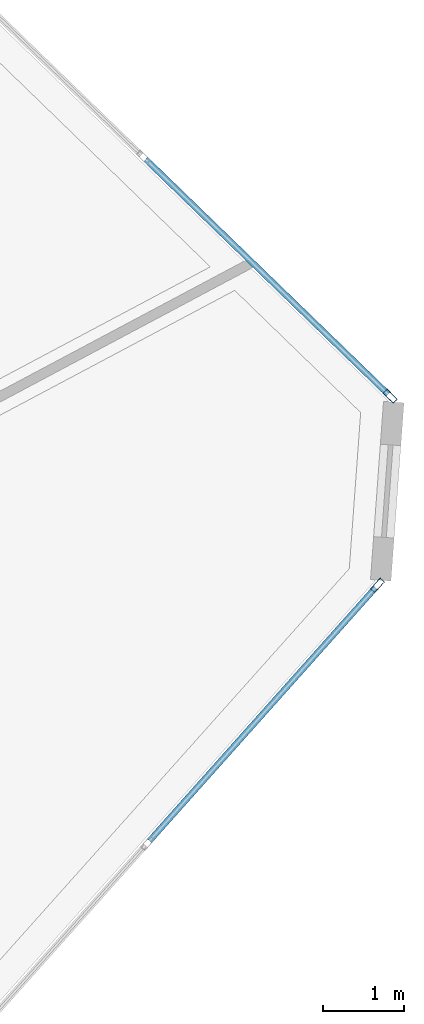
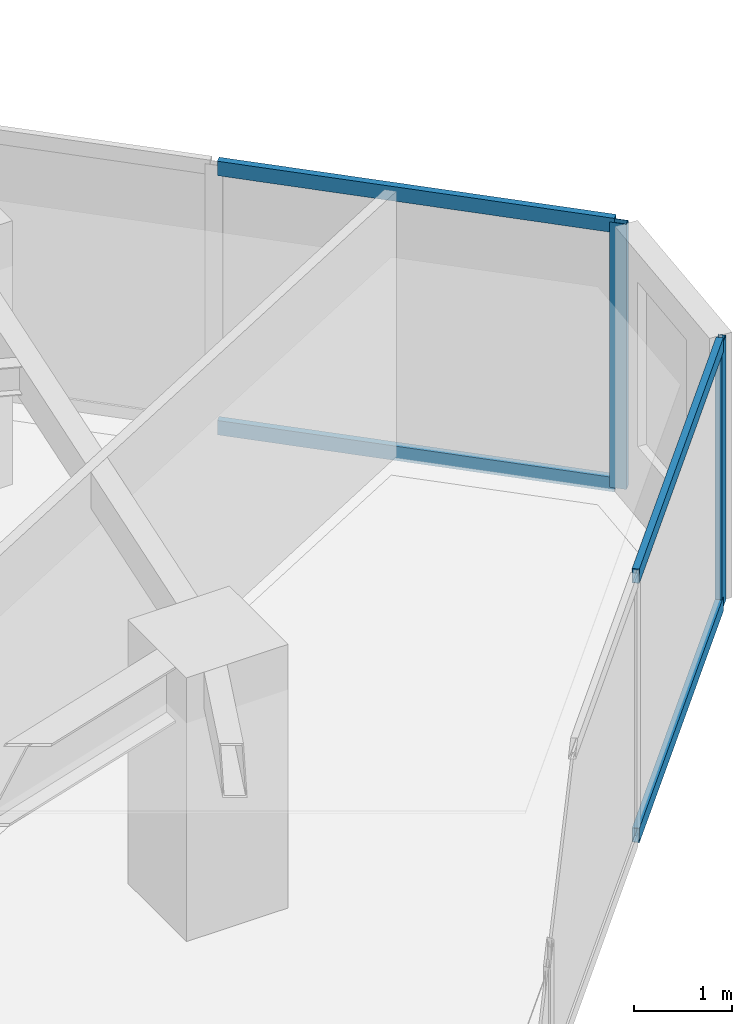
# One storey, part 13 of 23: 6 members, 2 elements without a shape of their own.
"""IFC4 building model written with IfcOpenShell, lengths in metres."""

from ifc_helpers import new_model, si_unit, direction, frame, origin, origin_2d, place, context, subcontext, project, spatial, hollow_rectangle, extrude, source, transform, mapped, material, layer, layer_set, material_profile, profile_set, type_object, type_shapes, element, aggregate, save


model = new_model("IFC4")

# Units and contexts
model_context = context("Model", 3, precision=1e-05, world=origin(), true_north=direction((0.0, 1.0)))
body_context = subcontext(model_context, "Body", "Model", "MODEL_VIEW")
ifc_project = project(units=[si_unit("LENGTHUNIT", "METRE"), si_unit("AREAUNIT", "SQUARE_METRE"), si_unit("VOLUMEUNIT", "CUBIC_METRE"), si_unit("PLANEANGLEUNIT", "RADIAN"), si_unit("MASSUNIT", "GRAM", prefix="KILO")], contexts=[model_context])

# Site, building, storey
site_placement = place(None, origin())
site = spatial("IfcSite", under=ifc_project, at=site_placement, CompositionType="ELEMENT")
building_placement = place(site_placement, origin())
building = spatial("IfcBuilding", under=site, at=building_placement, Name="Talar Marvaseh", CompositionType="ELEMENT")
storey_placement = place(building_placement, frame((0.0, 0.0, 103.800048828125)))
storey = spatial("IfcBuildingStorey", under=building, at=storey_placement, Name="L26", CompositionType="ELEMENT", Elevation=103.800048828125)

# Curtain wall, member
ifc_material = material(Name="Architectural Aluminium", Category="aluminium")
ifc_layer = layer(ifc_material, 0.199951171875)
ifc_layer_set = layer_set([ifc_layer], Name="Architectural Aluminium")
curtain_wall_type = type_object("IfcCurtainWallType", Name="Unitised Acoustic Library Curtain Wall Z2", PredefinedType="NOTDEFINED", material=ifc_layer_set)
curtain_wall_1_placement = place(storey_placement, origin())
curtain_wall_1 = element("IfcCurtainWall", 1, at=curtain_wall_1_placement, inside=storey, type_object=curtain_wall_type, Name="L26 Unitised Acoustic Library Curtain Wall Z2", PredefinedType="NOTDEFINED")
ifc_material_profile_1 = material_profile(ifc_material, hollow_rectangle(XDim=0.074951171875, YDim=0.179931640625, WallThickness=0.0048828125, at=origin_2d()), Name="RHS180x75x5")
ifc_profile_set_1 = profile_set([ifc_material_profile_1], Name="Architectural Aluminium")
member_type_1 = type_object("IfcMemberType", Name="Unitised Curtain Wall Standard Mullion RHS180x75x5", PredefinedType="MULLION", material=ifc_profile_set_1)
shared_shape_1 = source(origin(), body_context, "Body", "SweptSolid", [
    extrude(hollow_rectangle(XDim=0.074951171875, YDim=0.179931640625, WallThickness=0.0048828125, at=origin_2d()), origin(), (0.0, 0.0, 1.0), 3.31005859375),
])
type_shapes(member_type_1, [shared_shape_1])
member_1_placement = place(storey_placement, frame((49.0078125, 32.369384765625, 0.0), z_axis=(0.0, 0.0, 1.0), x_axis=(0.695868072996, 0.718169635243, 0.0)))
member_1 = element("IfcMember", 2, at=member_1_placement, type_object=member_type_1, Name="CW-Z2 mullion 5", PredefinedType="MULLION", context=body_context, shape_type="MappedRepresentation", body=[
    mapped(shared_shape_1, transform((0.0, 0.0, 0.0), x_axis=(1.0, 0.0, 0.0), y_axis=(0.0, 1.0, 0.0), z_axis=(0.0, 0.0, 1.0), scale=1.0)),
])

curtain_wall_2_placement = place(storey_placement, origin())
curtain_wall_2 = element("IfcCurtainWall", 3, at=curtain_wall_2_placement, inside=storey, type_object=curtain_wall_type, Name="L26 Unitised Acoustic Library Curtain Wall Z2", PredefinedType="NOTDEFINED")
member_2_placement = place(storey_placement, frame((48.851318359375, 30.021728515625, 0.0), z_axis=(0.0, 0.0, 1.0), x_axis=(0.745952517382, -0.665999130489, 0.0)))
member_2 = element("IfcMember", 4, at=member_2_placement, type_object=member_type_1, Name="CW-Z2 mullion 1", PredefinedType="MULLION", context=body_context, shape_type="MappedRepresentation", body=[
    mapped(shared_shape_1, transform((0.0, 0.0, 0.0), x_axis=(1.0, 0.0, 0.0), y_axis=(0.0, 1.0, 0.0), z_axis=(0.0, 0.0, 1.0), scale=1.0)),
])

# Member
ifc_material_profile_2 = material_profile(ifc_material, hollow_rectangle(XDim=0.074951171875, YDim=0.179931640625, WallThickness=0.0048828125, at=origin_2d()), Name="RHS180x75x5")
ifc_profile_set_2 = profile_set([ifc_material_profile_2], Name="Architectural Aluminium")
member_type_2 = type_object("IfcMemberType", Name="Unitised Curtain Wall Transom RHS180x75x5", PredefinedType="USERDEFINED", material=ifc_profile_set_2)
shared_shape_2 = source(origin(), body_context, "Body", "SweptSolid", [
    extrude(hollow_rectangle(XDim=0.074951171875, YDim=0.179931640625, WallThickness=0.0048828125, at=origin_2d()), origin(), (0.0, 0.0, 1.0), 4.185546875),
])
member_3_placement = place(storey_placement, frame((45.97509765625, 35.30810546875, 0.037353515625), z_axis=(0.718160054555, -0.695877960595, 0.0), x_axis=(0.695877960595, 0.718160054555, 0.0)))
member_3 = element("IfcMember", 5, at=member_3_placement, type_object=member_type_2, Name="CW-Z2 transom 4.1", ObjectType="TRANSOM", PredefinedType="USERDEFINED", context=body_context, shape_type="MappedRepresentation", body=[
    mapped(shared_shape_2, transform((0.0, 0.0, 0.0), x_axis=(1.0, 0.0, 0.0), y_axis=(0.0, 1.0, 0.0), z_axis=(0.0, 0.0, 1.0), scale=1.0)),
])

member_4_placement = place(storey_placement, frame((45.97509765625, 35.30810546875, 3.2724609375), z_axis=(0.718160054555, -0.695877960595, 0.0), x_axis=(0.695877960595, 0.718160054555, 0.0)))
member_4 = element("IfcMember", 6, at=member_4_placement, type_object=member_type_2, Name="CW-Z2 transom 4.2", ObjectType="TRANSOM", PredefinedType="USERDEFINED", context=body_context, shape_type="MappedRepresentation", body=[
    mapped(shared_shape_2, transform((0.0, 0.0, 0.0), x_axis=(1.0, 0.0, 0.0), y_axis=(0.0, 1.0, 0.0), z_axis=(0.0, 0.0, 1.0), scale=1.0)),
])

aggregate(curtain_wall_1, [member_1, member_3, member_4])

shared_shape_3 = source(origin(), body_context, "Body", "SweptSolid", [
    extrude(hollow_rectangle(XDim=0.074951171875, YDim=0.179931640625, WallThickness=0.0048828125, at=origin_2d()), origin(), (0.0, 0.0, 1.0), 4.2109375),
])
type_shapes(member_type_2, [shared_shape_2, shared_shape_3])
member_5_placement = place(storey_placement, frame((48.826416015625, 29.99365234375, 0.037353515625), z_axis=(-0.665999638853, -0.745952063505, 0.0), x_axis=(0.745952063505, -0.665999638853, 0.0)))
member_5 = element("IfcMember", 7, at=member_5_placement, type_object=member_type_2, Name="CW-Z2 transom 1.1", ObjectType="TRANSOM", PredefinedType="USERDEFINED", context=body_context, shape_type="MappedRepresentation", body=[
    mapped(shared_shape_3, transform((0.0, 0.0, 0.0), x_axis=(1.0, 0.0, 0.0), y_axis=(0.0, 1.0, 0.0), z_axis=(0.0, 0.0, 1.0), scale=1.0)),
])

member_6_placement = place(storey_placement, frame((48.826416015625, 29.99365234375, 3.2724609375), z_axis=(-0.665999638853, -0.745952063505, 0.0), x_axis=(0.745952063505, -0.665999638853, 0.0)))
member_6 = element("IfcMember", 8, at=member_6_placement, type_object=member_type_2, Name="CW-Z2 transom 1.2", ObjectType="TRANSOM", PredefinedType="USERDEFINED", context=body_context, shape_type="MappedRepresentation", body=[
    mapped(shared_shape_3, transform((0.0, 0.0, 0.0), x_axis=(1.0, 0.0, 0.0), y_axis=(0.0, 1.0, 0.0), z_axis=(0.0, 0.0, 1.0), scale=1.0)),
])

aggregate(curtain_wall_2, [member_2, member_5, member_6])

save(model, "model.ifc")
